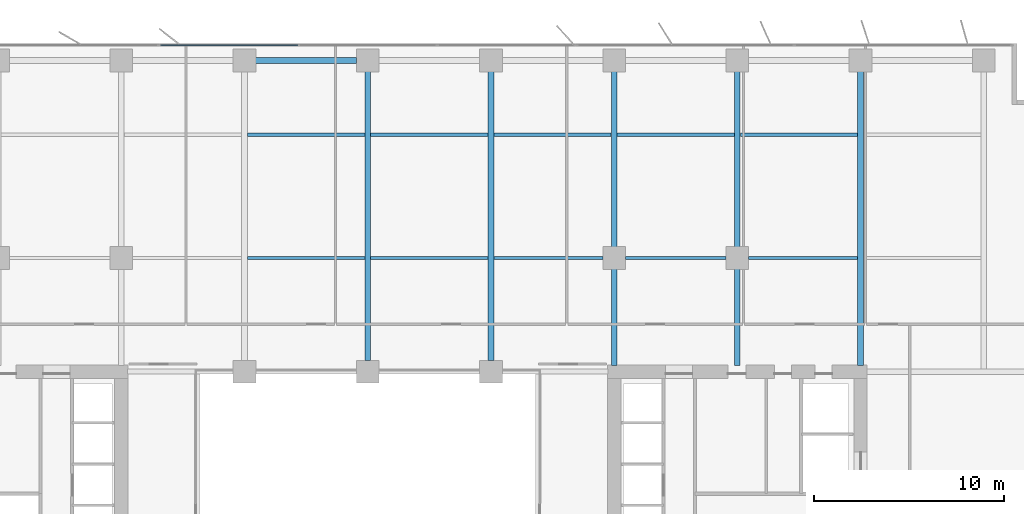
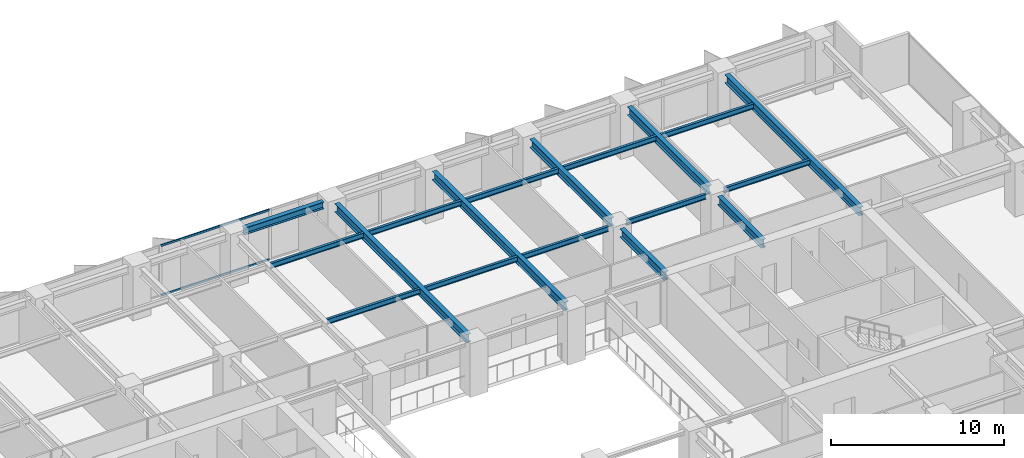
# One storey, part 8 of 20: 18 beams, 2 members, 1 element without a shape of its own.
"""IFC4 building model written with IfcOpenShell, lengths in metres."""

from ifc_helpers import new_model, si_unit, direction, frame, origin, origin_2d, place, context, subcontext, project, spatial, rectangle, i_section, extrude, material, layer, layer_set, material_profile, profile_set, type_object, element, aggregate, save


model = new_model("IFC4")

# Units and contexts
model_context = context("Model", 3, precision=1e-05, world=origin(), true_north=direction((0.0, 1.0)))
body_context = subcontext(model_context, "Body", "Model", "MODEL_VIEW")
ifc_project = project(units=[si_unit("LENGTHUNIT", "METRE"), si_unit("AREAUNIT", "SQUARE_METRE"), si_unit("VOLUMEUNIT", "CUBIC_METRE"), si_unit("PLANEANGLEUNIT", "RADIAN"), si_unit("MASSUNIT", "GRAM", prefix="KILO")], contexts=[model_context])

# Site, building, storey
site_placement = place(None, origin())
site = spatial("IfcSite", under=ifc_project, at=site_placement, CompositionType="ELEMENT")
building_placement = place(site_placement, origin())
building = spatial("IfcBuilding", under=site, at=building_placement, Name="Putna Gate Headquarters", CompositionType="ELEMENT")
storey_placement = place(building_placement, frame((0.0, 0.0, 116.39990234375)))
storey = spatial("IfcBuildingStorey", under=building, at=storey_placement, Name="L28", CompositionType="ELEMENT", Elevation=116.39990234375)

# Beams
ifc_material_1 = material(Name="Steel S355J2", Category="steel")
ifc_material_profile_1 = material_profile(ifc_material_1, i_section(OverallWidth=0.300048828125, OverallDepth=0.60009765625, WebThickness=0.015380859375, FlangeThickness=0.030029296875, at=origin_2d()), Name="Steel S355J2")
ifc_profile_set_1 = profile_set([ifc_material_profile_1], Name="Steel S355J2")
beam_type_1 = type_object("IfcBeamType", Name="BM-GIRD-Z2-HEB600", PredefinedType="USERDEFINED", material=ifc_profile_set_1)
for number, where, z_axis, x_axis, name in (
    (1, (39.0, 33.587890625, 3.26513671875), (0.0, 1.0, 0.0), (-1.0, 0.0, 0.0), "L28 North Primary Girder X39"),
    (2, (45.5, 33.587890625, 3.26513671875), (0.0, 1.0, 0.0), (-1.0, 0.0, 0.0), "L28 North Primary Girder X45"),
):
    element("IfcBeam", number, at=place(storey_placement, frame(where, z_axis=z_axis, x_axis=x_axis)), inside=storey, type_object=beam_type_1, Name=name, ObjectType="GIRDER", PredefinedType="USERDEFINED", context=body_context, shape_type="SweptSolid", body=[
        extrude(i_section(OverallWidth=0.300048828125, OverallDepth=0.60009765625, WebThickness=0.015380859375, FlangeThickness=0.030029296875, at=origin_2d()), origin(), (0.0, 0.0, 1.0), 15.244140625),
    ])
beam_1_placement = place(storey_placement, frame((52.0, 33.3349609375, 3.26513671875), z_axis=(0.0, 1.0, 0.0), x_axis=(-1.0, 0.0, 0.0)))
element("IfcBeam", 3, at=beam_1_placement, inside=storey, type_object=beam_type_1, Name="L28 North Primary Girder X52-1", ObjectType="GIRDER", PredefinedType="USERDEFINED", context=body_context, shape_type="SweptSolid", body=[
    extrude(i_section(OverallWidth=0.300048828125, OverallDepth=0.60009765625, WebThickness=0.015380859375, FlangeThickness=0.030029296875, at=origin_2d()), origin(), (0.0, 0.0, 1.0), 5.0771484375),
])
beam_2_placement = place(storey_placement, frame((52.0, 39.587890625, 3.26513671875), z_axis=(0.0, 1.0, 0.0), x_axis=(-1.0, 0.0, 0.0)))
element("IfcBeam", 4, at=beam_2_placement, inside=storey, type_object=beam_type_1, Name="L28 North Primary Girder X52-2", ObjectType="GIRDER", PredefinedType="USERDEFINED", context=body_context, shape_type="SweptSolid", body=[
    extrude(i_section(OverallWidth=0.300048828125, OverallDepth=0.60009765625, WebThickness=0.015380859375, FlangeThickness=0.030029296875, at=origin_2d()), origin(), (0.0, 0.0, 1.0), 9.244140625),
])
beam_3_placement = place(storey_placement, frame((58.5, 33.3349609375, 3.26513671875), z_axis=(0.0, 1.0, 0.0), x_axis=(-1.0, 0.0, 0.0)))
element("IfcBeam", 5, at=beam_3_placement, inside=storey, type_object=beam_type_1, Name="L28 North Primary Girder X58-1", ObjectType="GIRDER", PredefinedType="USERDEFINED", context=body_context, shape_type="SweptSolid", body=[
    extrude(i_section(OverallWidth=0.300048828125, OverallDepth=0.60009765625, WebThickness=0.015380859375, FlangeThickness=0.030029296875, at=origin_2d()), origin(), (0.0, 0.0, 1.0), 5.0771484375),
])
beam_4_placement = place(storey_placement, frame((58.5, 39.587890625, 3.26513671875), z_axis=(0.0, 1.0, 0.0), x_axis=(-1.0, 0.0, 0.0)))
element("IfcBeam", 6, at=beam_4_placement, inside=storey, type_object=beam_type_1, Name="L28 North Primary Girder X58-2", ObjectType="GIRDER", PredefinedType="USERDEFINED", context=body_context, shape_type="SweptSolid", body=[
    extrude(i_section(OverallWidth=0.300048828125, OverallDepth=0.60009765625, WebThickness=0.015380859375, FlangeThickness=0.030029296875, at=origin_2d()), origin(), (0.0, 0.0, 1.0), 9.244140625),
])
beam_5_placement = place(storey_placement, frame((65.0, 33.3349609375, 3.26513671875), z_axis=(0.0, 1.0, 0.0), x_axis=(-1.0, 0.0, 0.0)))
element("IfcBeam", 7, at=beam_5_placement, inside=storey, type_object=beam_type_1, Name="L28 North Primary Girder X65", ObjectType="GIRDER", PredefinedType="USERDEFINED", context=body_context, shape_type="SweptSolid", body=[
    extrude(i_section(OverallWidth=0.300048828125, OverallDepth=0.60009765625, WebThickness=0.015380859375, FlangeThickness=0.030029296875, at=origin_2d()), origin(), (0.0, 0.0, 1.0), 15.4970703125),
])
ifc_material_profile_2 = material_profile(ifc_material_1, i_section(OverallWidth=0.169921875, OverallDepth=0.360107421875, WebThickness=0.008056640625, FlangeThickness=0.0126953125, at=origin_2d()), Name="Steel S355J2")
ifc_profile_set_2 = profile_set([ifc_material_profile_2], Name="Steel S355J2")
beam_type_2 = type_object("IfcBeamType", Name="BM-SEC-Z2-IPE360", PredefinedType="BEAM", material=ifc_profile_set_2)
for number, where, z_axis, x_axis, name in (
    (8, (32.654052734375, 39.0, 3.385009765625), (1.0, 0.0, 0.0), (0.0, 1.0, 0.0), "L28 North Secondary Beam 5"),
    (9, (32.654052734375, 45.5, 3.385009765625), (1.0, 0.0, 0.0), (0.0, 1.0, 0.0), "L28 North Secondary Beam 5"),
    (10, (39.154052734375, 39.0, 3.385009765625), (1.0, 0.0, 0.0), (0.0, 1.0, 0.0), "L28 North Secondary Beam 6"),
    (11, (39.154052734375, 45.5, 3.385009765625), (1.0, 0.0, 0.0), (0.0, 1.0, 0.0), "L28 North Secondary Beam 6"),
):
    element("IfcBeam", number, at=place(storey_placement, frame(where, z_axis=z_axis, x_axis=x_axis)), inside=storey, type_object=beam_type_2, Name=name, PredefinedType="BEAM", context=body_context, shape_type="SweptSolid", body=[
        extrude(i_section(OverallWidth=0.169921875, OverallDepth=0.360107421875, WebThickness=0.008056640625, FlangeThickness=0.0126953125, at=origin_2d()), origin(), (0.0, 0.0, 1.0), 6.19189453125),
    ])
beam_6_placement = place(storey_placement, frame((45.654052734375, 39.0, 3.385009765625), z_axis=(1.0, 0.0, 0.0), x_axis=(0.0, 1.0, 0.0)))
element("IfcBeam", 12, at=beam_6_placement, inside=storey, type_object=beam_type_2, Name="L28 North Secondary Beam 7", PredefinedType="BEAM", context=body_context, shape_type="SweptSolid", body=[
    extrude(i_section(OverallWidth=0.169921875, OverallDepth=0.360107421875, WebThickness=0.008056640625, FlangeThickness=0.0126953125, at=origin_2d()), origin(), (0.0, 0.0, 1.0), 5.758056640625),
])
beam_7_placement = place(storey_placement, frame((45.654052734375, 45.5, 3.385009765625), z_axis=(1.0, 0.0, 0.0), x_axis=(0.0, 1.0, 0.0)))
element("IfcBeam", 13, at=beam_7_placement, inside=storey, type_object=beam_type_2, Name="L28 North Secondary Beam 7", PredefinedType="BEAM", context=body_context, shape_type="SweptSolid", body=[
    extrude(i_section(OverallWidth=0.169921875, OverallDepth=0.360107421875, WebThickness=0.008056640625, FlangeThickness=0.0126953125, at=origin_2d()), origin(), (0.0, 0.0, 1.0), 6.19189453125),
])
beam_8_placement = place(storey_placement, frame((52.587890625, 39.0, 3.385009765625), z_axis=(1.0, 0.0, 0.0), x_axis=(0.0, 1.0, 0.0)))
element("IfcBeam", 14, at=beam_8_placement, inside=storey, type_object=beam_type_2, Name="L28 North Secondary Beam 8", PredefinedType="BEAM", context=body_context, shape_type="SweptSolid", body=[
    extrude(i_section(OverallWidth=0.169921875, OverallDepth=0.360107421875, WebThickness=0.008056640625, FlangeThickness=0.0126953125, at=origin_2d()), origin(), (0.0, 0.0, 1.0), 5.32421875),
])
beam_9_placement = place(storey_placement, frame((52.154052734375, 45.5, 3.385009765625), z_axis=(1.0, 0.0, 0.0), x_axis=(0.0, 1.0, 0.0)))
element("IfcBeam", 15, at=beam_9_placement, inside=storey, type_object=beam_type_2, Name="L28 North Secondary Beam 8", PredefinedType="BEAM", context=body_context, shape_type="SweptSolid", body=[
    extrude(i_section(OverallWidth=0.169921875, OverallDepth=0.360107421875, WebThickness=0.008056640625, FlangeThickness=0.0126953125, at=origin_2d()), origin(), (0.0, 0.0, 1.0), 6.19189453125),
])
beam_10_placement = place(storey_placement, frame((59.087890625, 39.0, 3.385009765625), z_axis=(1.0, 0.0, 0.0), x_axis=(0.0, 1.0, 0.0)))
element("IfcBeam", 16, at=beam_10_placement, inside=storey, type_object=beam_type_2, Name="L28 North Secondary Beam 9", PredefinedType="BEAM", context=body_context, shape_type="SweptSolid", body=[
    extrude(i_section(OverallWidth=0.169921875, OverallDepth=0.360107421875, WebThickness=0.008056640625, FlangeThickness=0.0126953125, at=origin_2d()), origin(), (0.0, 0.0, 1.0), 5.758056640625),
])
beam_11_placement = place(storey_placement, frame((58.654052734375, 45.5, 3.385009765625), z_axis=(1.0, 0.0, 0.0), x_axis=(0.0, 1.0, 0.0)))
element("IfcBeam", 17, at=beam_11_placement, inside=storey, type_object=beam_type_2, Name="L28 North Secondary Beam 9", PredefinedType="BEAM", context=body_context, shape_type="SweptSolid", body=[
    extrude(i_section(OverallWidth=0.169921875, OverallDepth=0.360107421875, WebThickness=0.008056640625, FlangeThickness=0.0126953125, at=origin_2d()), origin(), (0.0, 0.0, 1.0), 6.19189453125),
])
ifc_material_profile_3 = material_profile(ifc_material_1, i_section(OverallWidth=0.300048828125, OverallDepth=0.489990234375, WebThickness=0.011962890625, FlangeThickness=0.02294921875, at=origin_2d()), Name="Steel S355J2")
ifc_profile_set_3 = profile_set([ifc_material_profile_3], Name="Steel S355J2")
beam_type_3 = type_object("IfcBeamType", Name="BM-SPAN-Z2-HEA500", PredefinedType="SPANDREL", material=ifc_profile_set_3)
beam_12_placement = place(storey_placement, frame((33.087890625, 49.419921875, 3.320068359375), z_axis=(1.0, 0.0, 0.0), x_axis=(0.0, 1.0, 0.0)))
element("IfcBeam", 18, at=beam_12_placement, inside=storey, type_object=beam_type_3, Name="L28 N Perimeter Spandrel 5", PredefinedType="SPANDREL", context=body_context, shape_type="SweptSolid", body=[
    extrude(i_section(OverallWidth=0.300048828125, OverallDepth=0.489990234375, WebThickness=0.011962890625, FlangeThickness=0.02294921875, at=origin_2d()), origin(), (0.0, 0.0, 1.0), 5.32421875),
])

# Curtain wall, members
ifc_material_2 = material(Name="Anodised bronze aluminium curtain wall", Category="aluminium")
ifc_layer = layer(ifc_material_2, 0.179931640625)
ifc_layer_set = layer_set([ifc_layer], Name="Anodised bronze aluminium curtain wall")
curtain_wall_type = type_object("IfcCurtainWallType", Name="CW-SYS-ATR", PredefinedType="USERDEFINED", material=ifc_layer_set)
curtain_wall_placement = place(storey_placement, origin())
curtain_wall = element("IfcCurtainWall", 19, at=curtain_wall_placement, inside=storey, type_object=curtain_wall_type, Name="L28 North Atrium Clear Glazing", ObjectType="ATRIUM GLAZING", PredefinedType="USERDEFINED")
ifc_material_3 = material(Name="Anodised bronze aluminium EN AW-6060", Category="aluminium")
ifc_material_profile_4 = material_profile(ifc_material_3, rectangle(XDim=0.070068359375, YDim=0.139892578125, at=origin_2d()), Name="Anodised bronze aluminium EN AW-6060")
ifc_profile_set_4 = profile_set([ifc_material_profile_4], Name="Anodised bronze aluminium EN AW-6060")
member_type = type_object("IfcMemberType", Name="TRAN-CWT-AT", PredefinedType="USERDEFINED", material=ifc_profile_set_4)
member_1_placement = place(storey_placement, frame((28.070068359375, 50.219970703125, 0.03515625), z_axis=(1.0, 0.0, 0.0), x_axis=(0.0, 1.0, 0.0)))
member_1 = element("IfcMember", 20, at=member_1_placement, type_object=member_type, Name="CWS-AT transom 1.1", ObjectType="TRANSOM", PredefinedType="USERDEFINED", context=body_context, shape_type="SweptSolid", body=[
    extrude(rectangle(XDim=0.070068359375, YDim=0.139892578125, at=origin_2d()), origin(), (0.0, 0.0, 1.0), 7.228271484375),
])
member_2_placement = place(storey_placement, frame((28.070068359375, 50.219970703125, 3.530029296875), z_axis=(1.0, 0.0, 0.0), x_axis=(0.0, 1.0, 0.0)))
member_2 = element("IfcMember", 21, at=member_2_placement, type_object=member_type, Name="CWS-AT transom 1.2", ObjectType="TRANSOM", PredefinedType="USERDEFINED", context=body_context, shape_type="SweptSolid", body=[
    extrude(rectangle(XDim=0.070068359375, YDim=0.139892578125, at=origin_2d()), origin(), (0.0, 0.0, 1.0), 7.228271484375),
])
aggregate(curtain_wall, [member_1, member_2])

save(model, "model.ifc")
